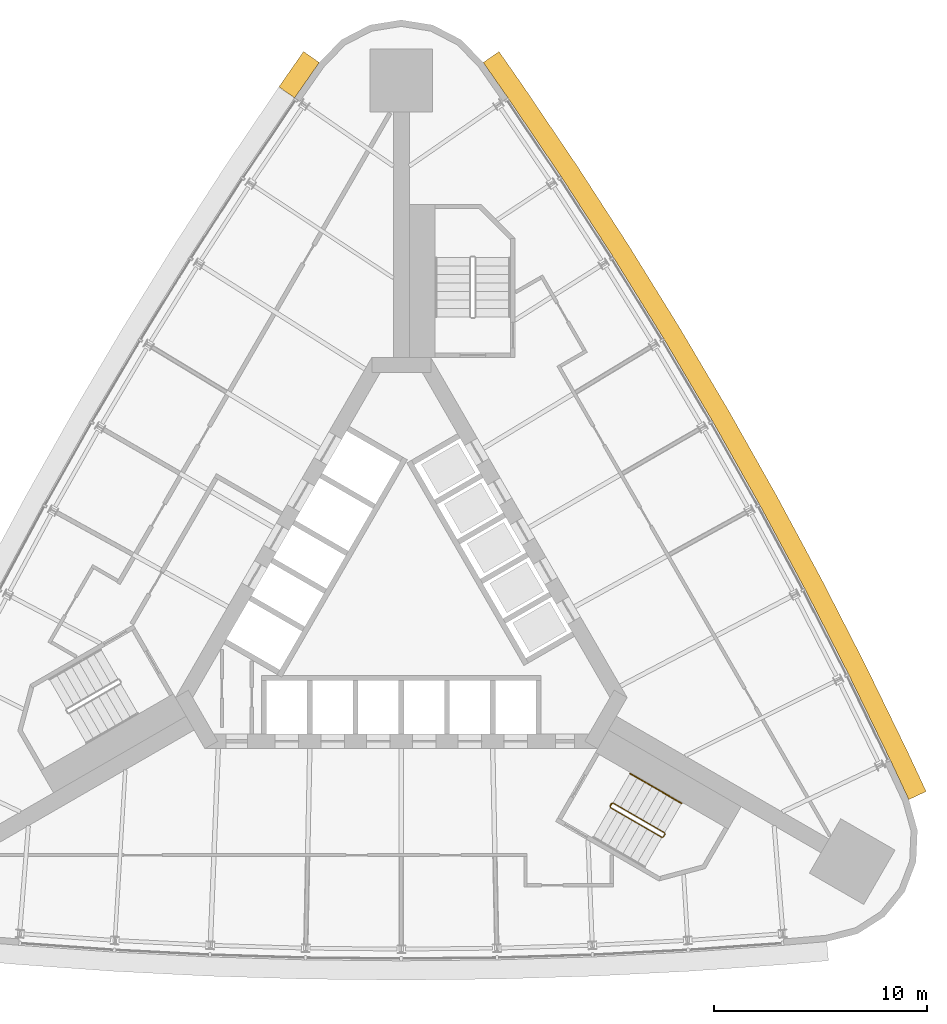
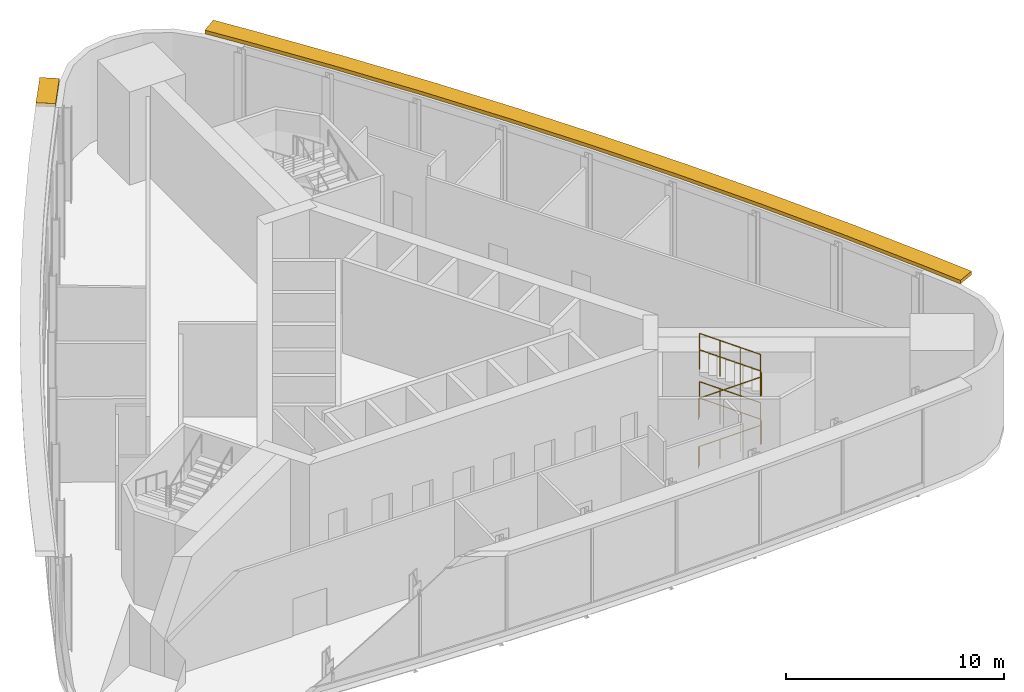
# One storey, part 10 of 11: 3 railings, 2 shading devices.
"""IFC4 building model written with IfcOpenShell, lengths in metres."""

from ifc_helpers import new_model, si_unit, direction, frame, origin, origin_2d, place, context, subcontext, project, spatial, polyline, circle, outline, extrude, material, type_object, element, save


model = new_model("IFC4")

# Units and contexts
model_context = context("Model", 3, precision=1e-05, world=origin(), true_north=direction((0.0, 1.0)))
body_context = subcontext(model_context, "Body", "Model", "MODEL_VIEW")
ifc_project = project(units=[si_unit("LENGTHUNIT", "METRE"), si_unit("AREAUNIT", "SQUARE_METRE"), si_unit("VOLUMEUNIT", "CUBIC_METRE"), si_unit("PLANEANGLEUNIT", "RADIAN"), si_unit("MASSUNIT", "GRAM", prefix="KILO")], contexts=[model_context])

# Site, building, storey
site_placement = place(None, origin())
site = spatial("IfcSite", under=ifc_project, at=site_placement, CompositionType="ELEMENT")
building_placement = place(site_placement, origin())
building = spatial("IfcBuilding", under=site, at=building_placement, Name="Noor Cloister Tower", CompositionType="ELEMENT")
storey_placement = place(building_placement, frame((0.0, 0.0, 134.699951171875)))
storey = spatial("IfcBuildingStorey", under=building, at=storey_placement, Name="L34", CompositionType="ELEMENT", Elevation=134.699951171875)

# Shading devices
ifc_material_1 = material(Name="Limestone", Category="masonry")
shading_device_type = type_object("IfcShadingDeviceType", Name="SUNSHADE limestone band 900", PredefinedType="USERDEFINED", material=ifc_material_1)
shading_device_1_placement = place(storey_placement, frame((0.0, 0.0, 5.199951171875)))
element("IfcShadingDevice", 1, at=shading_device_1_placement, inside=storey, type_object=shading_device_type, Name="SUNSHADE L34 3", ObjectType="SUNSHADE", PredefinedType="USERDEFINED", context=body_context, shape_type="SweptSolid", body=[
    extrude(outline(polyline([(24.666748046875, -8.93994140625), (23.80517578125, -7.099365234375), (21.83056640625, -3.0380859375), (19.772705078125, 0.984130859375), (17.6337890625, 4.964111328125), (15.41455078125, 8.899658203125), (13.115966796875, 12.789306640625), (10.73876953125, 16.631591796875), (8.2841796875, 20.4248046875), (5.75439453125, 24.16552734375), (4.59130859375, 25.83203125), (3.853271484375, 25.31689453125), (5.0126953125, 23.65576171875), (7.533447265625, 19.92822265625), (9.978271484375, 16.150390625), (12.345703125, 12.323486328125), (14.635009765625, 8.449462890625), (16.845458984375, 4.52978515625), (18.9755859375, 0.566162109375), (21.025146484375, -3.43994140625), (22.992919921875, -7.48681640625), (23.851806640625, -9.321533203125), (24.666748046875, -8.93994140625)])), origin(), (0.0, 0.0, 1.0), 0.2001953125),
])
shading_device_2_placement = place(storey_placement, frame((0.0, 0.0, 5.199951171875)))
element("IfcShadingDevice", 2, at=shading_device_2_placement, inside=storey, type_object=shading_device_type, Name="SUNSHADE L34 4", ObjectType="SUNSHADE", PredefinedType="USERDEFINED", context=body_context, shape_type="SweptSolid", body=[
    extrude(outline(polyline([(-4.59130859375, 25.83203125), (-5.750732421875, 24.1708984375), (-5.0126953125, 23.65576171875), (-3.853271484375, 25.31689453125), (-4.59130859375, 25.83203125)])), origin(), (0.0, 0.0, 1.0), 0.2001953125),
])

# Railings
ifc_material_2 = material(Name="Stainless steel", Category="steel")
railing_type_1 = type_object("IfcRailingType", Name="Stair guard 1100", PredefinedType="GUARDRAIL", material=ifc_material_2)
railing_1_placement = place(storey_placement, frame((9.805908203125, -9.628662109375, 0.0)))
element("IfcRailing", 3, at=railing_1_placement, inside=storey, type_object=railing_type_1, Name="Stair guard ST3 L34", PredefinedType="GUARDRAIL", context=body_context, shape_type="SweptSolid", body=[
    extrude(circle(Radius=0.02392578125, at=origin_2d()), frame((0.0, 0.0, 1.076171875), z_axis=(0.499112439033, 0.866537231285, 0.0), x_axis=(-0.866537231285, 0.499112439033, 0.0)), (0.0, 0.0, 1.0), 0.150146484375),
    extrude(circle(Radius=0.02392578125, at=origin_2d()), frame((0.074951171875, 0.130126953125, 1.076171875), z_axis=(-0.212616081131, -0.744156283958, 0.633266000264), x_axis=(0.961523947641, -0.274721127897, 0.0)), (0.0, 0.0, 1.0), 0.266357421875),
    extrude(circle(Radius=0.02392578125, at=origin_2d()), frame((0.018310546875, -0.068115234375, 1.24462890625), z_axis=(0.79788415668, -0.460719456158, 0.388739572511), x_axis=(0.500049511043, 0.865996816683, 0.0)), (0.0, 0.0, 1.0), 3.0390625),
    extrude(circle(Radius=0.02392578125, at=origin_2d()), frame((2.443115234375, -1.46826171875, 2.42626953125), z_axis=(0.965948051503, 0.258736085224, 0.0), x_axis=(-0.258736085224, 0.965948051503, 0.0)), (0.0, 0.0, 1.0), 0.07080078125),
    extrude(circle(Radius=0.02392578125, at=origin_2d()), frame((2.511474609375, -1.449951171875, 2.42626953125), z_axis=(0.499816412211, 0.866131372301, 0.0), x_axis=(-0.866131372301, 0.499816412211, 0.0)), (0.0, 0.0, 1.0), 0.14990234375),
    extrude(circle(Radius=0.02392578125, at=origin_2d()), frame((2.58642578125, -1.320068359375, 2.42626953125), z_axis=(-0.100088472829, 0.373663631894, 0.922148462996), x_axis=(-0.965948051503, -0.258736085224, 0.0)), (0.0, 0.0, 1.0), 0.182861328125),
    extrude(circle(Radius=0.02392578125, at=origin_2d()), frame((2.568115234375, -1.251708984375, 2.5947265625), z_axis=(-0.79793860554, 0.460670556199, 0.388685760532), x_axis=(-0.49998411664, -0.866034573852, 0.0)), (0.0, 0.0, 1.0), 3.038818359375),
    extrude(circle(Radius=0.02392578125, at=origin_2d()), frame((0.143310546875, 0.148193359375, 3.77587890625), z_axis=(-0.695164929852, -0.718850276695, 0.0), x_axis=(0.718850276695, -0.695164929852, 0.0)), (0.0, 0.0, 1.0), 0.2060546875),
    extrude(circle(Radius=0.02392578125, at=origin_2d()), frame((0.0, 0.0, 3.77587890625), z_axis=(0.499112439033, 0.866537231285, 0.0), x_axis=(-0.866537231285, 0.499112439033, 0.0)), (0.0, 0.0, 1.0), 0.150146484375),
    extrude(circle(Radius=0.02392578125, at=origin_2d()), frame((0.074951171875, 0.130126953125, 3.77587890625), z_axis=(-0.212492706348, -0.743724472217, 0.633814451692), x_axis=(0.961523947641, -0.274721127897, 0.0)), (0.0, 0.0, 1.0), 0.2666015625),
    extrude(circle(Radius=0.02392578125, at=origin_2d()), frame((0.018310546875, -0.068115234375, 3.94482421875), z_axis=(0.797909072615, -0.460733843279, 0.388671374679), x_axis=(0.500049511043, 0.865996816683, 0.0)), (0.0, 0.0, 1.0), 3.0390625),
    extrude(circle(Radius=0.02392578125, at=origin_2d()), frame((2.443115234375, -1.46826171875, 5.1259765625), z_axis=(0.965948051503, 0.258736085224, 0.0), x_axis=(-0.258736085224, 0.965948051503, 0.0)), (0.0, 0.0, 1.0), 0.07080078125),
    extrude(circle(Radius=0.02392578125, at=origin_2d()), frame((2.511474609375, -1.449951171875, 5.1259765625), z_axis=(0.499816412211, 0.866131372301, 0.0), x_axis=(-0.866131372301, 0.499816412211, 0.0)), (0.0, 0.0, 1.0), 0.14990234375),
    extrude(circle(Radius=0.02392578125, at=origin_2d()), frame((2.58642578125, -1.320068359375, 5.1259765625), z_axis=(-0.100088472829, 0.373663631894, 0.922148462996), x_axis=(-0.965948051503, -0.258736085224, 0.0)), (0.0, 0.0, 1.0), 0.182861328125),
    extrude(circle(Radius=0.02392578125, at=origin_2d()), frame((2.568115234375, -1.251708984375, 5.294921875), z_axis=(-0.797913686838, 0.460656169989, 0.388753959989), x_axis=(-0.49998411664, -0.866034573852, 0.0)), (0.0, 0.0, 1.0), 3.038818359375),
    extrude(circle(Radius=0.02099609375, at=origin_2d()), origin(), (0.0, 0.0, 1.0), 1.052001953125),
    extrude(circle(Radius=0.02099609375, at=origin_2d()), frame((0.074951171875, 0.130126953125, 0.0)), (0.0, 0.0, 1.0), 1.052001953125),
    extrude(circle(Radius=0.02099609375, at=origin_2d()), frame((0.018310546875, -0.068115234375, 0.168701171875)), (0.0, 0.0, 1.0), 1.052001953125),
    extrude(circle(Radius=0.02099609375, at=origin_2d()), frame((0.82666015625, -0.534912109375, 0.5625)), (0.0, 0.0, 1.0), 1.052001953125),
    extrude(circle(Radius=0.02099609375, at=origin_2d()), frame((1.634765625, -1.00146484375, 0.956298828125)), (0.0, 0.0, 1.0), 1.052001953125),
    extrude(circle(Radius=0.02099609375, at=origin_2d()), frame((2.443115234375, -1.46826171875, 1.35009765625)), (0.0, 0.0, 1.0), 1.052001953125),
    extrude(circle(Radius=0.02099609375, at=origin_2d()), frame((2.511474609375, -1.449951171875, 1.35009765625)), (0.0, 0.0, 1.0), 1.052001953125),
    extrude(circle(Radius=0.02099609375, at=origin_2d()), frame((2.58642578125, -1.320068359375, 1.35009765625)), (0.0, 0.0, 1.0), 1.052001953125),
    extrude(circle(Radius=0.02099609375, at=origin_2d()), frame((2.568115234375, -1.251708984375, 1.518798828125)), (0.0, 0.0, 1.0), 1.052001953125),
    extrude(circle(Radius=0.02099609375, at=origin_2d()), frame((1.759765625, -0.78515625, 1.91259765625)), (0.0, 0.0, 1.0), 1.052001953125),
    extrude(circle(Radius=0.02099609375, at=origin_2d()), frame((0.95166015625, -0.318359375, 2.30615234375)), (0.0, 0.0, 1.0), 1.052001953125),
    extrude(circle(Radius=0.02099609375, at=origin_2d()), frame((0.143310546875, 0.148193359375, 2.699951171875)), (0.0, 0.0, 1.0), 1.052001953125),
    extrude(circle(Radius=0.02099609375, at=origin_2d()), frame((0.0, 0.0, 2.699951171875)), (0.0, 0.0, 1.0), 1.052001953125),
    extrude(circle(Radius=0.02099609375, at=origin_2d()), frame((0.074951171875, 0.130126953125, 2.699951171875)), (0.0, 0.0, 1.0), 1.052001953125),
    extrude(circle(Radius=0.02099609375, at=origin_2d()), frame((0.018310546875, -0.068115234375, 2.868896484375)), (0.0, 0.0, 1.0), 1.052001953125),
    extrude(circle(Radius=0.02099609375, at=origin_2d()), frame((0.82666015625, -0.534912109375, 3.2626953125)), (0.0, 0.0, 1.0), 1.052001953125),
    extrude(circle(Radius=0.02099609375, at=origin_2d()), frame((1.634765625, -1.00146484375, 3.65625)), (0.0, 0.0, 1.0), 1.052001953125),
    extrude(circle(Radius=0.02099609375, at=origin_2d()), frame((2.443115234375, -1.46826171875, 4.050048828125)), (0.0, 0.0, 1.0), 1.052001953125),
    extrude(circle(Radius=0.02099609375, at=origin_2d()), frame((2.511474609375, -1.449951171875, 4.050048828125)), (0.0, 0.0, 1.0), 1.052001953125),
    extrude(circle(Radius=0.02099609375, at=origin_2d()), frame((2.58642578125, -1.320068359375, 4.050048828125)), (0.0, 0.0, 1.0), 1.052001953125),
    extrude(circle(Radius=0.02099609375, at=origin_2d()), frame((2.568115234375, -1.251708984375, 4.21875)), (0.0, 0.0, 1.0), 1.052001953125),
    extrude(circle(Radius=0.02099609375, at=origin_2d()), frame((1.759765625, -0.78515625, 4.612548828125)), (0.0, 0.0, 1.0), 1.052001953125),
    extrude(circle(Radius=0.02099609375, at=origin_2d()), frame((0.95166015625, -0.318359375, 5.00634765625)), (0.0, 0.0, 1.0), 1.052001953125),
    extrude(circle(Radius=0.02099609375, at=origin_2d()), frame((0.143310546875, 0.148193359375, 5.400146484375)), (0.0, 0.0, 1.0), 1.052001953125),
])
ifc_material_3 = material(Name="Stainless steel", Category="steel")
railing_type_2 = type_object("IfcRailingType", Name="Stair handrail 900", PredefinedType="HANDRAIL", material=ifc_material_3)
railing_2_placement = place(storey_placement, frame((13.174072265625, -9.49462890625, 1.518798828125)))
element("IfcRailing", 4, at=railing_2_placement, inside=storey, type_object=railing_type_2, Name="Stair handrail ST3 L34 2", PredefinedType="HANDRAIL", context=body_context, shape_type="SweptSolid", body=[
    extrude(circle(Radius=0.02392578125, at=origin_2d()), frame((0.0, 0.0, 0.8759765625), z_axis=(-0.79793860554, 0.460670556199, 0.388685760532), x_axis=(-0.49998411664, -0.866034573852, 0.0)), (0.0, 0.0, 1.0), 3.038818359375),
    extrude(circle(Radius=0.02099609375, at=origin_2d()), origin(), (0.0, 0.0, 1.0), 0.851806640625),
    extrude(circle(Radius=0.02099609375, at=origin_2d()), frame((-0.808349609375, 0.466552734375, 0.393798828125)), (0.0, 0.0, 1.0), 0.851806640625),
    extrude(circle(Radius=0.02099609375, at=origin_2d()), frame((-1.616455078125, 0.933349609375, 0.787353515625)), (0.0, 0.0, 1.0), 0.851806640625),
    extrude(circle(Radius=0.02099609375, at=origin_2d()), frame((-2.4248046875, 1.39990234375, 1.18115234375)), (0.0, 0.0, 1.0), 0.851806640625),
])
railing_3_placement = place(storey_placement, frame((13.174072265625, -9.49462890625, 4.21875)))
element("IfcRailing", 5, at=railing_3_placement, inside=storey, type_object=railing_type_2, Name="Stair handrail ST3 L34 4", PredefinedType="HANDRAIL", context=body_context, shape_type="SweptSolid", body=[
    extrude(circle(Radius=0.02392578125, at=origin_2d()), frame((0.0, 0.0, 0.8759765625), z_axis=(-0.797913686838, 0.460656169989, 0.388753959989), x_axis=(-0.49998411664, -0.866034573852, 0.0)), (0.0, 0.0, 1.0), 3.038818359375),
    extrude(circle(Radius=0.02099609375, at=origin_2d()), origin(), (0.0, 0.0, 1.0), 0.851806640625),
    extrude(circle(Radius=0.02099609375, at=origin_2d()), frame((-0.808349609375, 0.466552734375, 0.393798828125)), (0.0, 0.0, 1.0), 0.851806640625),
    extrude(circle(Radius=0.02099609375, at=origin_2d()), frame((-1.616455078125, 0.933349609375, 0.78759765625)), (0.0, 0.0, 1.0), 0.851806640625),
    extrude(circle(Radius=0.02099609375, at=origin_2d()), frame((-2.4248046875, 1.39990234375, 1.181396484375)), (0.0, 0.0, 1.0), 0.851806640625),
])

save(model, "model.ifc")
